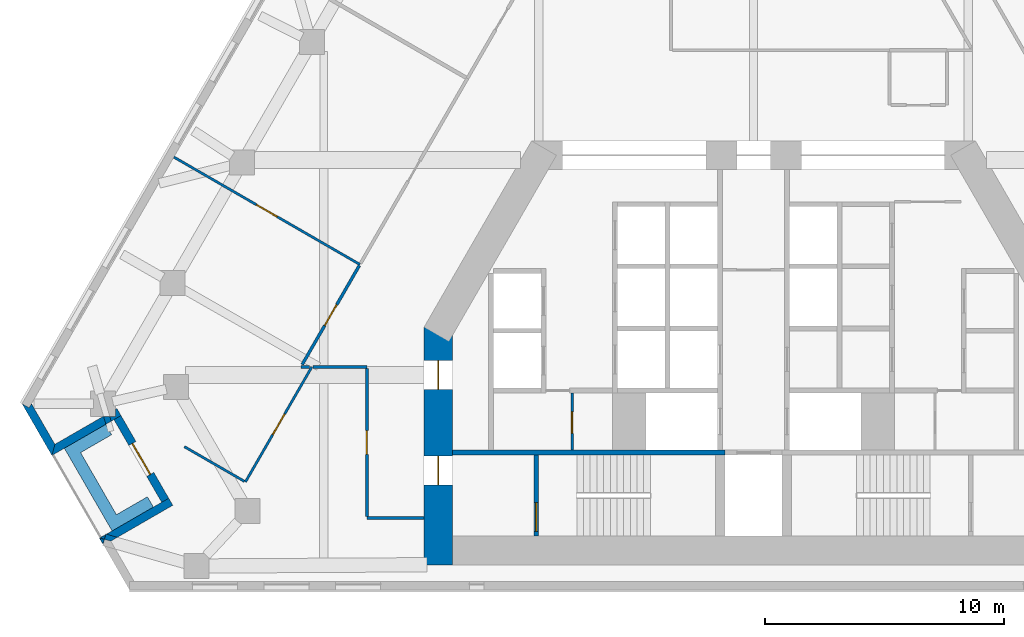
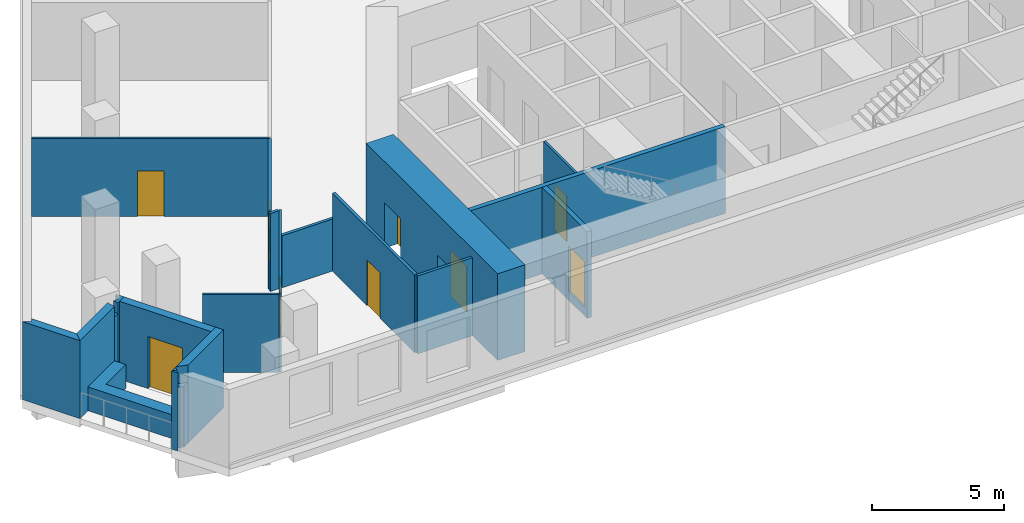
# One storey, part 3 of 9: 22 walls, 9 doors, 9 openings.
"""IFC4 building model written with IfcOpenShell, lengths in metres."""

from ifc_helpers import new_model, si_unit, direction, frame, frame_2d, origin, place, context, subcontext, project, spatial, polyline, rectangle, outline, extrude, material, layer, layer_set, type_object, element, fill, save


model = new_model("IFC4")

# Units and contexts
model_context = context("Model", 3, precision=1e-05, world=origin(), true_north=direction((0.0, 1.0)))
body_context = subcontext(model_context, "Body", "Model", "MODEL_VIEW")
ifc_project = project(units=[si_unit("LENGTHUNIT", "METRE"), si_unit("AREAUNIT", "SQUARE_METRE"), si_unit("VOLUMEUNIT", "CUBIC_METRE"), si_unit("PLANEANGLEUNIT", "RADIAN"), si_unit("MASSUNIT", "GRAM", prefix="KILO")], contexts=[model_context])

# Site, building, storey
site_placement = place(None, origin())
site = spatial("IfcSite", under=ifc_project, at=site_placement, CompositionType="ELEMENT")
building_placement = place(site_placement, origin())
building = spatial("IfcBuilding", under=site, at=building_placement, Name="Fogline Exchange Tower", CompositionType="ELEMENT")
storey_placement = place(building_placement, frame((0.0, 0.0, 96.10009765625)))
storey = spatial("IfcBuildingStorey", under=building, at=storey_placement, Name="L20", CompositionType="ELEMENT", Elevation=96.10009765625)

# Wall, opening, door
ifc_material_1 = material(Name="Blockwork partition", Category="masonry")
ifc_layer_1 = layer(ifc_material_1, 0.10009765625)
ifc_layer_set_1 = layer_set([ifc_layer_1], Name="CW10")
wall_type_1 = type_object("IfcWallType", Name="CW10", PredefinedType="PARTITIONING", material=ifc_layer_set_1)
wall_1_placement = place(storey_placement, frame((-7.60009765625, 5.85009765625, 0.0), z_axis=(0.0, 0.0, 1.0), x_axis=(0.0, 1.0, 0.0)))
wall_1 = element("IfcWall", 1, at=wall_1_placement, inside=storey, type_object=wall_type_1, Name="WC partition", PredefinedType="PARTITIONING", context=body_context, shape_type="SweptSolid", body=[
    extrude(rectangle(XDim=2.39990234375, YDim=0.10009765625, at=frame_2d((1.199951171875, 0.0))), origin(), (0.0, 0.0, 1.0), 3.599853515625),
])
opening_1_placement = place(wall_1_placement, frame((0.699951171875, 0.0, 0.0)))
opening_1 = element("IfcOpeningElement", 2, at=opening_1_placement, cuts=wall_1, Name="Opening T06-C008", PredefinedType="OPENING", context=body_context, shape_type="SweptSolid", body=[
    extrude(rectangle(XDim=0.89990234375, YDim=2.10009765625, at=frame_2d((0.449951171875, 1.050048828125))), frame((0.0, 0.06005859375, 0.0), z_axis=(0.0, -1.0, 0.0), x_axis=(1.0, 0.0, 0.0)), (0.0, 0.0, 1.0), 0.1201171875),
])
ifc_material_2 = material(Name="Steel and timber fire door", Category="steel")
door_type_1 = type_object("IfcDoorType", Name="D-CS1", OperationType="SINGLE_SWING_RIGHT", PredefinedType="DOOR", material=ifc_material_2)
door_1_placement = place(opening_1_placement, frame((0.89990234375, 0.0, 0.0), z_axis=(0.0, 0.0, 1.0), x_axis=(-1.0, 0.0, 0.0)))
door_1 = element("IfcDoor", 3, at=door_1_placement, inside=storey, type_object=door_type_1, Name="Door to Cleaner's Store", OperationType="SINGLE_SWING_RIGHT", OverallHeight=2.10009765625, OverallWidth=0.89990234375, PredefinedType="DOOR", context=body_context, shape_type="SweptSolid", body=[
    extrude(rectangle(XDim=0.89990234375, YDim=2.10009765625, at=frame_2d((0.449951171875, 1.050048828125))), frame((0.0, 0.02490234375, 0.0), z_axis=(0.0, -1.0, 0.0), x_axis=(1.0, 0.0, 0.0)), (0.0, 0.0, 1.0), 0.050048828125),
])
fill(opening_1, door_1)

# Wall
ifc_material_3 = material(Name="Concrete C40", Category="concrete")
ifc_layer_2 = layer(ifc_material_3, 0.199951171875)
ifc_layer_set_2 = layer_set([ifc_layer_2], Name="CW20R")
wall_type_2 = type_object("IfcWallType", Name="CW20R", PredefinedType="SOLIDWALL", material=ifc_layer_set_2)
wall_2_placement = place(storey_placement, frame((-12.60009765625, 5.75, -0.400146484375), z_axis=(0.0, 0.0, 1.0), x_axis=(1.0, 0.0, 0.0)))
element("IfcWall", 4, at=wall_2_placement, inside=storey, type_object=wall_type_2, Name="Stair enclosure wall", PredefinedType="SOLIDWALL", context=body_context, shape_type="SweptSolid", body=[
    extrude(rectangle(XDim=11.400146484375, YDim=0.199951171875, at=frame_2d((5.7001953125, 0.0))), origin(), (0.0, 0.0, 1.0), 4.0),
])

# Wall, opening, door
wall_3_placement = place(storey_placement, frame((-9.10009765625, 2.25, -0.400146484375), z_axis=(0.0, 0.0, 1.0), x_axis=(0.0, 1.0, 0.0)))
wall_3 = element("IfcWall", 5, at=wall_3_placement, inside=storey, type_object=wall_type_2, Name="Stair enclosure wall", PredefinedType="SOLIDWALL", context=body_context, shape_type="SweptSolid", body=[
    extrude(rectangle(XDim=3.39990234375, YDim=0.199951171875, at=frame_2d((1.699951171875, 0.0))), origin(), (0.0, 0.0, 1.0), 4.0),
])
opening_2_placement = place(wall_3_placement, frame((0.199951171875, 0.0, 0.39990234375)))
opening_2 = element("IfcOpeningElement", 6, at=opening_2_placement, cuts=wall_3, Name="Opening T06-C010", PredefinedType="OPENING", context=body_context, shape_type="SweptSolid", body=[
    extrude(rectangle(XDim=1.199951171875, YDim=2.10009765625, at=frame_2d((0.60009765625, 1.050048828125))), frame((0.0, 0.10986328125, 0.0), z_axis=(0.0, -1.0, 0.0), x_axis=(1.0, 0.0, 0.0)), (0.0, 0.0, 1.0), 0.219970703125),
])
door_type_2 = type_object("IfcDoorType", Name="D-ST1", OperationType="SINGLE_SWING_LEFT", PredefinedType="DOOR", material=ifc_material_2)
door_2_placement = place(opening_2_placement, frame((1.199951171875, 0.0, 0.0), z_axis=(0.0, 0.0, 1.0), x_axis=(-1.0, 0.0, 0.0)))
door_2 = element("IfcDoor", 7, at=door_2_placement, inside=storey, type_object=door_type_2, Name="Stair door ST1", OperationType="SINGLE_SWING_RIGHT", OverallHeight=2.10009765625, OverallWidth=1.199951171875, PredefinedType="DOOR", context=body_context, shape_type="SweptSolid", body=[
    extrude(rectangle(XDim=1.199951171875, YDim=2.10009765625, at=frame_2d((0.60009765625, 1.050048828125))), frame((0.0, 0.02490234375, 0.0), z_axis=(0.0, -1.0, 0.0), x_axis=(1.0, 0.0, 0.0)), (0.0, 0.0, 1.0), 0.050048828125),
])
fill(opening_2, door_2)

# Walls
ifc_material_4 = material(Name="Brick masonry", Category="masonry")
ifc_layer_3 = layer(ifc_material_4, 0.340087890625)
ifc_layer_set_3 = layer_set([ifc_layer_3], Name="FW1")
wall_type_3 = type_object("IfcWallType", Name="FW1", PredefinedType="SOLIDWALL", material=ifc_layer_set_3)
wall_4_placement = place(storey_placement, origin())
element("IfcWall", 8, at=wall_4_placement, inside=storey, type_object=wall_type_3, Name="Brick wall L20 SW-c1", PredefinedType="SOLIDWALL", context=body_context, shape_type="SweptSolid", body=[
    extrude(outline(polyline([(-29.387939453125, 5.6279296875), (-30.63916015625, 7.794921875), (-30.638671875, 7.79541015625), (-30.34375, 7.625), (-30.245361328125, 7.79541015625), (-29.262939453125, 6.09375), (-29.3876953125, 5.6279296875), (-29.387939453125, 5.6279296875)])), origin(), (0.0, 0.0, 1.0), 3.599853515625),
])
wall_5_placement = place(storey_placement, origin())
element("IfcWall", 9, at=wall_5_placement, inside=storey, type_object=wall_type_3, Name="Brick wall L20 SW-s1", PredefinedType="SOLIDWALL", context=body_context, shape_type="SweptSolid", body=[
    extrude(outline(polyline([(-26.966064453125, 7.269287109375), (-26.90576171875, 7.0615234375), (-27.128662109375, 6.932861328125), (-27.2265625, 7.269287109375), (-26.966064453125, 7.269287109375)])), origin(), (0.0, 0.0, 1.0), 3.099853515625),
])
wall_6_placement = place(storey_placement, origin())
element("IfcWall", 10, at=wall_6_placement, inside=storey, type_object=wall_type_3, Name="Brick wall L20 SW-s1", PredefinedType="SOLIDWALL", context=body_context, shape_type="SweptSolid", body=[
    extrude(outline(polyline([(-27.2265625, 7.269287109375), (-27.128662109375, 6.932861328125), (-29.388671875, 5.628173828125), (-29.388916015625, 5.62841796875), (-29.26416015625, 6.093994140625), (-27.228515625, 7.269287109375), (-27.2265625, 7.269287109375)])), origin(), (0.0, 0.0, 1.0), 3.599853515625),
])
wall_7_placement = place(storey_placement, origin())
element("IfcWall", 11, at=wall_7_placement, inside=storey, type_object=wall_type_3, Name="Brick wall L20 SW-s1", PredefinedType="SOLIDWALL", context=body_context, shape_type="SweptSolid", body=[
    extrude(outline(polyline([(-26.72412109375, 7.269287109375), (-26.72412109375, 7.560546875), (-26.665283203125, 7.594482421875), (-26.49462890625, 7.298828125), (-26.78955078125, 7.128662109375), (-26.90576171875, 7.0615234375), (-26.966064453125, 7.269287109375), (-26.72412109375, 7.269287109375)])), origin(), (0.0, 0.0, 1.0), 3.599853515625),
])

# Wall, opening, door
wall_8_placement = place(storey_placement, frame((-26.642822265625, 7.214111328125, 0.0), z_axis=(0.0, 0.0, 1.0), x_axis=(0.49999894854, -0.866026010844, 0.0)))
wall_8 = element("IfcWall", 12, at=wall_8_placement, inside=storey, type_object=wall_type_3, Name="Brick wall L20 SW-bk", PredefinedType="SOLIDWALL", context=body_context, shape_type="SweptSolid", body=[
    extrude(rectangle(XDim=4.0, YDim=0.340087890625, at=frame_2d((2.0, 0.0))), origin(), (0.0, 0.0, 1.0), 3.599853515625),
])
opening_3_placement = place(wall_8_placement, frame((1.25, 0.0, 0.0)))
opening_3 = element("IfcOpeningElement", 13, at=opening_3_placement, cuts=wall_8, Name="Opening T06-E021", PredefinedType="OPENING", context=body_context, shape_type="SweptSolid", body=[
    extrude(rectangle(XDim=1.5, YDim=2.39990234375, at=frame_2d((0.75, 1.199951171875))), frame((0.0, 0.18017578125, 0.0), z_axis=(0.0, -1.0, 0.0), x_axis=(1.0, 0.0, 0.0)), (0.0, 0.0, 1.0), 0.360107421875),
])
ifc_material_5 = material(Name="Aluminium and glass", Category="aluminium")
door_type_3 = type_object("IfcDoorType", Name="ED4", OperationType="SINGLE_SWING_LEFT", PredefinedType="DOOR", material=ifc_material_5)
door_3_placement = place(opening_3_placement, frame((1.5, 0.0, 0.0), z_axis=(0.0, 0.0, 1.0), x_axis=(-1.0, 0.0, 0.0)))
door_3 = element("IfcDoor", 14, at=door_3_placement, inside=storey, type_object=door_type_3, Name="Balcony door L20 SW", OperationType="DOUBLE_DOOR_SINGLE_SWING", OverallHeight=2.39990234375, OverallWidth=1.5, PredefinedType="DOOR", context=body_context, shape_type="SweptSolid", body=[
    extrude(rectangle(XDim=1.5, YDim=2.39990234375, at=frame_2d((0.75, 1.199951171875))), frame((0.0, 0.02490234375, 0.0), z_axis=(0.0, -1.0, 0.0), x_axis=(1.0, 0.0, 0.0)), (0.0, 0.0, 1.0), 0.050048828125),
])
fill(opening_3, door_3)

# Walls
wall_9_placement = place(storey_placement, origin())
element("IfcWall", 15, at=wall_9_placement, inside=storey, type_object=wall_type_3, Name="Brick wall L20 SW-s2", PredefinedType="SOLIDWALL", context=body_context, shape_type="SweptSolid", body=[
    extrude(outline(polyline([(-27.10400390625, 2.32958984375), (-26.646240234375, 2.199951171875), (-26.923583984375, 2.0400390625), (-27.1943359375, 2.112548828125), (-27.138427734375, 2.309814453125), (-27.10400390625, 2.32958984375)])), origin(), (0.0, 0.0, 1.0), 2.7998046875),
])
wall_10_placement = place(storey_placement, origin())
element("IfcWall", 16, at=wall_10_placement, inside=storey, type_object=wall_type_3, Name="Brick wall L20 SW-s2", PredefinedType="SOLIDWALL", context=body_context, shape_type="SweptSolid", body=[
    extrude(outline(polyline([(-27.138427734375, 2.309814453125), (-27.1943359375, 2.112548828125), (-27.38916015625, 2.164794921875), (-27.38916015625, 2.1650390625), (-27.138427734375, 2.309814453125)])), origin(), (0.0, 0.0, 1.0), 3.599853515625),
])
wall_11_placement = place(storey_placement, origin())
element("IfcWall", 17, at=wall_11_placement, inside=storey, type_object=wall_type_3, Name="Brick wall L20 SW-s2", PredefinedType="SOLIDWALL", context=body_context, shape_type="SweptSolid", body=[
    extrude(outline(polyline([(-24.790283203125, 3.66552734375), (-24.495361328125, 3.8359375), (-24.32470703125, 3.540283203125), (-26.646240234375, 2.199951171875), (-27.10400390625, 2.32958984375), (-24.790283203125, 3.66552734375)])), origin(), (0.0, 0.0, 1.0), 3.599853515625),
])
wall_12_placement = place(storey_placement, origin())
element("IfcWall", 18, at=wall_12_placement, inside=storey, type_object=wall_type_3, Name="Brick wall L20 SW-c2", PredefinedType="SOLIDWALL", context=body_context, shape_type="SweptSolid", body=[
    extrude(outline(polyline([(-27.38916015625, 2.165771484375), (-27.388916015625, 2.166015625), (-27.194091796875, 2.11376953125), (-27.248291015625, 1.921875), (-27.38916015625, 2.165771484375)])), origin(), (0.0, 0.0, 1.0), 3.599853515625),
])
ifc_material_6 = material(Name="Concrete C30", Category="concrete")
ifc_layer_4 = layer(ifc_material_6, 0.199951171875)
ifc_layer_set_4 = layer_set([ifc_layer_4], Name="PL1")
wall_type_4 = type_object("IfcWallType", Name="PL1", PredefinedType="USERDEFINED", material=ifc_layer_set_4)
wall_13_placement = place(storey_placement, origin())
element("IfcWall", 19, at=wall_13_placement, inside=storey, type_object=wall_type_4, Name="PLANTER balcony L20 SW", ObjectType="PLANTER", PredefinedType="USERDEFINED", context=body_context, shape_type="SweptSolid", body=[
    extrude(outline(polyline([(-25.386474609375, 3.898193359375), (-26.685302734375, 3.148193359375), (-28.185302734375, 5.74609375), (-26.886474609375, 6.49609375), (-27.136474609375, 6.92919921875), (-28.868408203125, 5.92919921875), (-26.868408203125, 2.465087890625), (-26.435302734375, 2.715087890625), (-26.435302734375, 2.715087890625), (-25.136474609375, 3.465087890625), (-25.386474609375, 3.898193359375)])), origin(), (0.0, 0.0, 1.0), 1.099853515625),
])

# Wall, opening, door
ifc_material_7 = material(Name="Plasterboard partition, 2 layers each side on steel studs", Category="steel")
ifc_layer_5 = layer(ifc_material_7, 0.10009765625)
ifc_layer_set_5 = layer_set([ifc_layer_5], Name="PW1")
wall_type_5 = type_object("IfcWallType", Name="PW1", PredefinedType="PARTITIONING", material=ifc_layer_set_5)
wall_14_placement = place(storey_placement, frame((-16.486083984375, 13.626220703125, 0.0), z_axis=(0.0, 0.0, 1.0), x_axis=(-0.866024315419, 0.5000018851, 0.0)))
wall_14 = element("IfcWall", 20, at=wall_14_placement, inside=storey, type_object=wall_type_5, Name="wall-L20-W041", PredefinedType="PARTITIONING", context=body_context, shape_type="SweptSolid", body=[
    extrude(rectangle(XDim=9.0, YDim=0.10009765625, at=frame_2d((4.5, 0.0))), origin(), (0.0, 0.0, 1.0), 3.599853515625),
])
opening_4_placement = place(wall_14_placement, frame((4.0, 0.0, 0.0)))
opening_4 = element("IfcOpeningElement", 21, at=opening_4_placement, cuts=wall_14, Name="Opening T06-D017", PredefinedType="OPENING", context=body_context, shape_type="SweptSolid", body=[
    extrude(rectangle(XDim=1.0, YDim=2.10009765625, at=frame_2d((0.5, 1.050048828125))), frame((0.0, 0.06005859375, 0.0), z_axis=(0.0, -1.0, 0.0), x_axis=(1.0, 0.0, 0.0)), (0.0, 0.0, 1.0), 0.1201171875),
])
ifc_material_8 = material(Name="Timber door leaf with steel frame", Category="steel")
door_type_4 = type_object("IfcDoorType", Name="D1", OperationType="SINGLE_SWING_LEFT", PredefinedType="DOOR", material=ifc_material_8)
door_4_placement = place(opening_4_placement, frame((1.0, 0.0, 0.0), z_axis=(0.0, 0.0, 1.0), x_axis=(-1.0, 0.0, 0.0)))
door_4 = element("IfcDoor", 22, at=door_4_placement, inside=storey, type_object=door_type_4, Name="door-L20-D017", OperationType="SINGLE_SWING_RIGHT", OverallHeight=2.10009765625, OverallWidth=1.0, PredefinedType="DOOR", context=body_context, shape_type="SweptSolid", body=[
    extrude(rectangle(XDim=1.0, YDim=2.10009765625, at=frame_2d((0.5, 1.050048828125))), frame((0.0, 0.02490234375, 0.0), z_axis=(0.0, -1.0, 0.0), x_axis=(1.0, 0.0, 0.0)), (0.0, 0.0, 1.0), 0.050048828125),
])
fill(opening_4, door_4)

wall_15_placement = place(storey_placement, frame((-18.498779296875, 9.340087890625, 0.0), z_axis=(0.0, 0.0, 1.0), x_axis=(-0.500007201891, -0.866021245731, 0.0)))
wall_15 = element("IfcWall", 23, at=wall_15_placement, inside=storey, type_object=wall_type_5, Name="wall-L20-W042", PredefinedType="PARTITIONING", context=body_context, shape_type="SweptSolid", body=[
    extrude(rectangle(XDim=5.56640625, YDim=0.10009765625, at=frame_2d((2.783203125, 0.0))), origin(), (0.0, 0.0, 1.0), 3.599853515625),
])
opening_5_placement = place(wall_15_placement, frame((2.283203125, 0.0, 0.0)))
opening_5 = element("IfcOpeningElement", 24, at=opening_5_placement, cuts=wall_15, Name="Opening T06-D018", PredefinedType="OPENING", context=body_context, shape_type="SweptSolid", body=[
    extrude(rectangle(XDim=1.0, YDim=2.10009765625, at=frame_2d((0.5, 1.050048828125))), frame((0.0, 0.06005859375, 0.0), z_axis=(0.0, -1.0, 0.0), x_axis=(1.0, 0.0, 0.0)), (0.0, 0.0, 1.0), 0.1201171875),
])
door_5_placement = place(opening_5_placement, origin())
door_5 = element("IfcDoor", 25, at=door_5_placement, inside=storey, type_object=door_type_4, Name="door-L20-D018", OperationType="SINGLE_SWING_LEFT", OverallHeight=2.10009765625, OverallWidth=1.0, PredefinedType="DOOR", context=body_context, shape_type="SweptSolid", body=[
    extrude(rectangle(XDim=1.0, YDim=2.10009765625, at=frame_2d((0.5, 1.050048828125))), frame((0.0, 0.02490234375, 0.0), z_axis=(0.0, -1.0, 0.0), x_axis=(1.0, 0.0, 0.0)), (0.0, 0.0, 1.0), 0.050048828125),
])
fill(opening_5, door_5)

# Walls
wall_16_placement = place(storey_placement, frame((-21.3251953125, 4.54443359375, 0.0), z_axis=(0.0, 0.0, 1.0), x_axis=(-0.866038412228, 0.499977468037, 0.0)))
element("IfcWall", 26, at=wall_16_placement, inside=storey, type_object=wall_type_5, Name="wall-L20-W043", PredefinedType="PARTITIONING", context=body_context, shape_type="SweptSolid", body=[
    extrude(rectangle(XDim=2.900634765625, YDim=0.10009765625, at=frame_2d((1.4501953125, 0.0))), origin(), (0.0, 0.0, 1.0), 3.599853515625),
])
ifc_material_9 = material(Name="Plasterboard corridor partition with mineral wool, 2 layers each side")
ifc_layer_6 = layer(ifc_material_9, 0.125)
ifc_layer_set_6 = layer_set([ifc_layer_6], Name="PW2")
wall_type_6 = type_object("IfcWallType", Name="PW2", PredefinedType="PARTITIONING", material=ifc_layer_set_6)
wall_17_placement = place(storey_placement, frame((-13.800048828125, 3.0, 0.0), z_axis=(0.0, 0.0, 1.0), x_axis=(-1.0, 0.0, 0.0)))
element("IfcWall", 27, at=wall_17_placement, inside=storey, type_object=wall_type_6, Name="wall-L20-W008", PredefinedType="PARTITIONING", context=body_context, shape_type="SweptSolid", body=[
    extrude(rectangle(XDim=2.39990234375, YDim=0.125, at=frame_2d((1.199951171875, 0.0))), origin(), (0.0, 0.0, 1.0), 3.599853515625),
])

# Wall, opening, door
wall_18_placement = place(storey_placement, frame((-16.199951171875, 3.0625, 0.0), z_axis=(0.0, 0.0, 1.0), x_axis=(0.0, 1.0, 0.0)))
wall_18 = element("IfcWall", 28, at=wall_18_placement, inside=storey, type_object=wall_type_6, Name="wall-L20-W009", PredefinedType="PARTITIONING", context=body_context, shape_type="SweptSolid", body=[
    extrude(rectangle(XDim=6.215087890625, YDim=0.125, at=frame_2d((3.107421875, 0.0))), origin(), (0.0, 0.0, 1.0), 3.599853515625),
])
opening_6_placement = place(wall_18_placement, frame((2.607421875, 0.0, 0.0)))
opening_6 = element("IfcOpeningElement", 29, at=opening_6_placement, cuts=wall_18, Name="Opening T06-D003", PredefinedType="OPENING", context=body_context, shape_type="SweptSolid", body=[
    extrude(rectangle(XDim=1.0, YDim=2.10009765625, at=frame_2d((0.5, 1.050048828125))), frame((0.0, 0.072509765625, 0.0), z_axis=(0.0, -1.0, 0.0), x_axis=(1.0, 0.0, 0.0)), (0.0, 0.0, 1.0), 0.14501953125),
])
ifc_material_10 = material(Name="Fire-rated timber door leaf with steel frame", Category="steel")
door_type_5 = type_object("IfcDoorType", Name="D3", OperationType="SINGLE_SWING_LEFT", PredefinedType="DOOR", material=ifc_material_10)
door_6_placement = place(opening_6_placement, origin())
door_6 = element("IfcDoor", 30, at=door_6_placement, inside=storey, type_object=door_type_5, Name="door-L20-D003", OperationType="SINGLE_SWING_LEFT", OverallHeight=2.10009765625, OverallWidth=1.0, PredefinedType="DOOR", context=body_context, shape_type="SweptSolid", body=[
    extrude(rectangle(XDim=1.0, YDim=2.10009765625, at=frame_2d((0.5, 1.050048828125))), frame((0.0, 0.02490234375, 0.0), z_axis=(0.0, -1.0, 0.0), x_axis=(1.0, 0.0, 0.0)), (0.0, 0.0, 1.0), 0.050048828125),
])
fill(opening_6, door_6)

# Wall
wall_19_placement = place(storey_placement, frame((-18.593017578125, 9.340087890625, 0.0), z_axis=(0.0, 0.0, 1.0), x_axis=(-1.0, 0.0, 0.0)))
element("IfcWall", 31, at=wall_19_placement, inside=storey, type_object=wall_type_6, Name="wall-L20-W014", PredefinedType="PARTITIONING", context=body_context, shape_type="SweptSolid", body=[
    extrude(rectangle(XDim=0.36767578125, YDim=0.125, at=frame_2d((0.183837890625, 0.0))), origin(), (0.0, 0.0, 1.0), 3.599853515625),
])

# Wall, opening, door
wall_20_placement = place(storey_placement, frame((-18.90625, 9.43408203125, 0.0), z_axis=(0.0, 0.0, 1.0), x_axis=(0.499948937441, 0.86605488276, 0.0)))
wall_20 = element("IfcWall", 32, at=wall_20_placement, inside=storey, type_object=wall_type_6, Name="wall-L20-W015", PredefinedType="PARTITIONING", context=body_context, shape_type="SweptSolid", body=[
    extrude(rectangle(XDim=4.7900390625, YDim=0.125, at=frame_2d((2.39501953125, 0.0))), origin(), (0.0, 0.0, 1.0), 3.599853515625),
])
opening_7_placement = place(wall_20_placement, frame((1.89501953125, 0.0, 0.0)))
opening_7 = element("IfcOpeningElement", 33, at=opening_7_placement, cuts=wall_20, Name="Opening T06-D007", PredefinedType="OPENING", context=body_context, shape_type="SweptSolid", body=[
    extrude(rectangle(XDim=1.0, YDim=2.10009765625, at=frame_2d((0.5, 1.050048828125))), frame((0.0, 0.072509765625, 0.0), z_axis=(0.0, -1.0, 0.0), x_axis=(1.0, 0.0, 0.0)), (0.0, 0.0, 1.0), 0.14501953125),
])
door_7_placement = place(opening_7_placement, origin())
door_7 = element("IfcDoor", 34, at=door_7_placement, inside=storey, type_object=door_type_5, Name="door-L20-D007", OperationType="SINGLE_SWING_RIGHT", OverallHeight=2.10009765625, OverallWidth=1.0, PredefinedType="DOOR", context=body_context, shape_type="SweptSolid", body=[
    extrude(rectangle(XDim=1.0, YDim=2.10009765625, at=frame_2d((0.5, 1.050048828125))), frame((0.0, 0.02490234375, 0.0), z_axis=(0.0, -1.0, 0.0), x_axis=(1.0, 0.0, 0.0)), (0.0, 0.0, 1.0), 0.050048828125),
])
fill(opening_7, door_7)

# Wall
wall_21_placement = place(storey_placement, frame((-16.199951171875, 9.340087890625, 0.0), z_axis=(0.0, 0.0, 1.0), x_axis=(-1.0, 0.0, 0.0)))
element("IfcWall", 35, at=wall_21_placement, inside=storey, type_object=wall_type_6, Name="wall-L20-W016", PredefinedType="PARTITIONING", context=body_context, shape_type="SweptSolid", body=[
    extrude(rectangle(XDim=2.255126953125, YDim=0.125, at=frame_2d((1.12744140625, 0.0))), origin(), (0.0, 0.0, 1.0), 2.39990234375),
])

# Wall, openings, doors
ifc_material_11 = material(Name="Concrete C60", Category="concrete")
ifc_layer_7 = layer(ifc_material_11, 1.199951171875)
ifc_layer_set_7 = layer_set([ifc_layer_7], Name="SW02")
wall_type_7 = type_object("IfcWallType", Name="SW02", PredefinedType="SHEAR", material=ifc_layer_set_7)
wall_22_placement = place(storey_placement, frame((-13.199951171875, 10.9990234375, 0.0), z_axis=(0.0, 0.0, 1.0), x_axis=(0.0, -1.0, 0.0)))
wall_22 = element("IfcWall", 36, at=wall_22_placement, inside=storey, type_object=wall_type_7, Name="L20-W906", PredefinedType="SHEAR", context=body_context, shape_type="SweptSolid", body=[
    extrude(rectangle(XDim=9.948974609375, YDim=1.199951171875, at=frame_2d((4.974609375, 0.0))), origin(), (0.0, 0.0, 1.0), 4.0),
])
opening_8_placement = place(wall_22_placement, frame((5.39892578125, 0.0, 0.0)))
opening_8 = element("IfcOpeningElement", 37, at=opening_8_placement, cuts=wall_22, Name="Opening T06-C009", PredefinedType="OPENING", context=body_context, shape_type="SweptSolid", body=[
    extrude(rectangle(XDim=1.199951171875, YDim=2.10009765625, at=frame_2d((0.60009765625, 1.050048828125))), frame((0.0, 0.60986328125, 0.0), z_axis=(0.0, -1.0, 0.0), x_axis=(1.0, 0.0, 0.0)), (0.0, 0.0, 1.0), 1.219970703125),
])
opening_9_placement = place(wall_22_placement, frame((1.39892578125, 0.0, 0.0)))
opening_9 = element("IfcOpeningElement", 38, at=opening_9_placement, cuts=wall_22, Name="Opening T06-C011", PredefinedType="OPENING", context=body_context, shape_type="SweptSolid", body=[
    extrude(rectangle(XDim=1.199951171875, YDim=2.10009765625, at=frame_2d((0.60009765625, 1.050048828125))), frame((0.0, 0.60986328125, 0.0), z_axis=(0.0, -1.0, 0.0), x_axis=(1.0, 0.0, 0.0)), (0.0, 0.0, 1.0), 1.219970703125),
])
door_type_6 = type_object("IfcDoorType", Name="D-FR1", OperationType="SINGLE_SWING_RIGHT", PredefinedType="DOOR", material=ifc_material_2)
door_8_placement = place(opening_8_placement, origin())
door_8 = element("IfcDoor", 39, at=door_8_placement, inside=storey, type_object=door_type_6, Name="Front room door ST1", OperationType="SINGLE_SWING_LEFT", OverallHeight=2.10009765625, OverallWidth=1.199951171875, PredefinedType="DOOR", context=body_context, shape_type="SweptSolid", body=[
    extrude(rectangle(XDim=1.199951171875, YDim=2.10009765625, at=frame_2d((0.60009765625, 1.050048828125))), frame((0.0, 0.02490234375, 0.0), z_axis=(0.0, -1.0, 0.0), x_axis=(1.0, 0.0, 0.0)), (0.0, 0.0, 1.0), 0.050048828125),
])
fill(opening_8, door_8)
door_type_7 = type_object("IfcDoorType", Name="D-SV1", OperationType="SINGLE_SWING_LEFT", PredefinedType="DOOR", material=ifc_material_2)
door_9_placement = place(opening_9_placement, origin())
door_9 = element("IfcDoor", 40, at=door_9_placement, inside=storey, type_object=door_type_7, Name="Service door W", OperationType="SINGLE_SWING_LEFT", OverallHeight=2.10009765625, OverallWidth=1.199951171875, PredefinedType="DOOR", context=body_context, shape_type="SweptSolid", body=[
    extrude(rectangle(XDim=1.199951171875, YDim=2.10009765625, at=frame_2d((0.60009765625, 1.050048828125))), frame((0.0, 0.02490234375, 0.0), z_axis=(0.0, -1.0, 0.0), x_axis=(1.0, 0.0, 0.0)), (0.0, 0.0, 1.0), 0.050048828125),
])
fill(opening_9, door_9)

save(model, "model.ifc")
